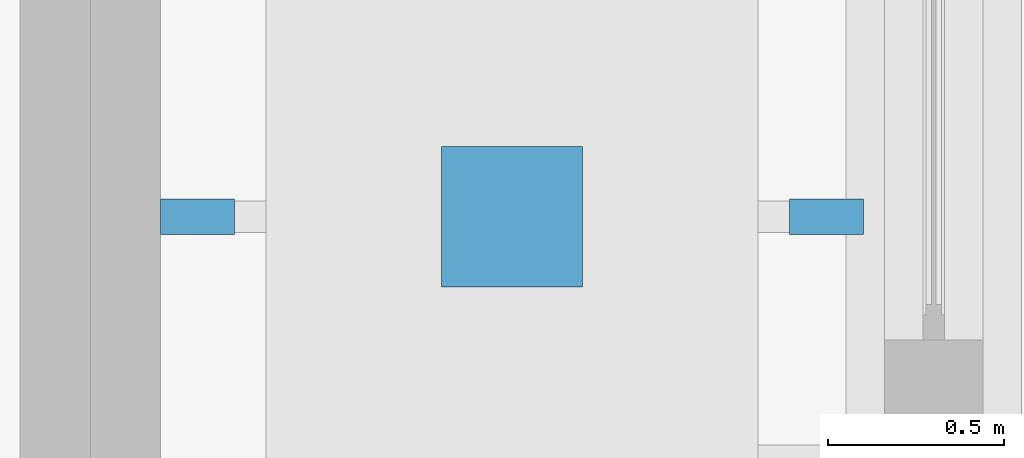
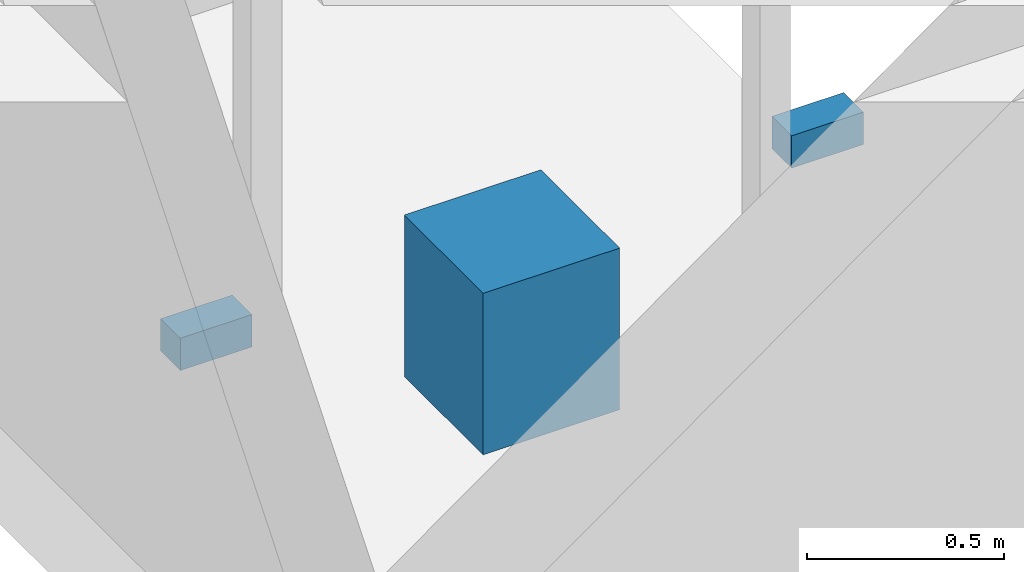
# One storey, part 170 of 250: 3 discrete accessories.
"""IFC4 building model written with IfcOpenShell, lengths in metres."""

import ifcopenshell
import ifcopenshell.guid

model = None  # the IFC model being written
_history = None  # IfcOwnerHistory: only IFC2X3 demands one
_inside = {}  # id of a spatial element -> (the spatial element, [elements in it])
_under = {}  # id of a project, library or spatial element -> (it, [spatial elements below it])
_declared = {}  # id of a project -> (the project, [libraries it declares])
_typed = {}  # id of a type object -> (the type object, [elements of that type])
_made_of = {}  # id of a material, layer set ... -> (it, [elements and type objects made of it])


def new_model(schema):
    """Start an empty IFC model of exactly this schema.

    Asked for "IFC4X3", IfcOpenShell would pick the latest addendum, in which some entities
    have other attributes; the version numbers below select the first issue.
    IFC2X3 requires an IfcOwnerHistory on every rooted entity: one is made here for all.
    """
    global model, _history
    if schema == "IFC4X3":
        model = ifcopenshell.file(schema_version=(4, 3, 0, 0))
    else:
        model = ifcopenshell.file(schema=schema)
    _inside.clear()
    _under.clear()
    _declared.clear()
    _typed.clear()
    _made_of.clear()
    _history = None
    if model.schema == "IFC2X3":
        org = make("IfcOrganization", Name="unknown")
        user = make(
            "IfcPersonAndOrganization",
            ThePerson=make("IfcPerson", FamilyName="unknown"),
            TheOrganization=org,
        )
        app = make(
            "IfcApplication",
            ApplicationDeveloper=org,
            Version="unknown",
            ApplicationFullName="unknown",
            ApplicationIdentifier="unknown",
        )
        _history = make(
            "IfcOwnerHistory",
            OwningUser=user,
            OwningApplication=app,
            ChangeAction="ADDED",
            CreationDate=0,
        )
    return model


def make(cls, **values):
    """One entity of the class cls with the attributes given. An attribute that is None is left unset."""
    return model.create_entity(
        cls, **{name: value for name, value in values.items() if value is not None}
    )


def rooted(cls, **values):
    """An entity with a GlobalId (a new one), such as an element, a storey or a relation."""
    return make(cls, GlobalId=ifcopenshell.guid.new(), OwnerHistory=_history, **values)


def si_unit(unit_type, name, prefix=None):
    """IfcSIUnit, for example si_unit("LENGTHUNIT", "METRE", prefix="MILLI")."""
    return make("IfcSIUnit", UnitType=unit_type, Prefix=prefix, Name=name)


def assignment(units):
    """IfcUnitAssignment: the units of a project."""
    return None if units is None else make("IfcUnitAssignment", Units=units)


def point(xyz):
    """IfcCartesianPoint."""
    return None if xyz is None else make("IfcCartesianPoint", Coordinates=xyz)


def direction(xyz):
    """IfcDirection."""
    return None if xyz is None else make("IfcDirection", DirectionRatios=xyz)


def frame(location, z_axis=None, x_axis=None):
    """IfcAxis2Placement3D, a coordinate frame: its origin and axes. An axis left out is left unset."""
    return make(
        "IfcAxis2Placement3D",
        Location=point(location),
        Axis=direction(z_axis),
        RefDirection=direction(x_axis),
    )


def frame_2d(location, x_axis=None):
    """IfcAxis2Placement2D, a coordinate frame in the plane: its origin and x axis."""
    return make(
        "IfcAxis2Placement2D", Location=point(location), RefDirection=direction(x_axis)
    )


def origin():
    """The frame at (0, 0, 0) with its axes left unset."""
    return frame((0.0, 0.0, 0.0))


def origin_2d():
    """The frame at (0, 0) in the plane with its x axis left unset."""
    return frame_2d((0.0, 0.0))


def place(relative_to, where):
    """IfcLocalPlacement: puts the frame where relative to a parent placement (None: the world)."""
    return make(
        "IfcLocalPlacement", PlacementRelTo=relative_to, RelativePlacement=where
    )


def context(
    kind, dimensions, precision=None, world=None, true_north=None, identifier=None
):
    """IfcGeometricRepresentationContext, for example the 3D "Model" context."""
    return make(
        "IfcGeometricRepresentationContext",
        ContextIdentifier=identifier,
        ContextType=kind,
        CoordinateSpaceDimension=dimensions,
        Precision=precision,
        WorldCoordinateSystem=world,
        TrueNorth=true_north,
    )


def subcontext(parent, identifier, kind, view, scale=None):
    """IfcGeometricRepresentationSubContext, for example "Body" below "Model"."""
    return make(
        "IfcGeometricRepresentationSubContext",
        ContextIdentifier=identifier,
        ContextType=kind,
        ParentContext=parent,
        TargetScale=scale,
        TargetView=view,
    )


def project(units=None, contexts=None):
    """IfcProject with its units and contexts."""
    return rooted(
        "IfcProject",
        Name="project",
        RepresentationContexts=contexts,
        UnitsInContext=assignment(units),
    )


def spatial(cls, under=None, at=None, **own):
    """A site, building, storey or space (cls), placed at a placement, below another one or the project."""
    s = rooted(cls, ObjectPlacement=at, **own)
    if under is not None:
        _under.setdefault(under.id(), (under, []))[1].append(s)
    return s


def profile(cls, at=None, kind="AREA", **sizes):
    """A parametric profile (cls). Its sizes go by their IFC names, for example OverallWidth=200.0."""
    return make(cls, ProfileType=kind, Position=at, **sizes)


def rectangle(**sizes):
    """IfcRectangleProfileDef."""
    return profile("IfcRectangleProfileDef", **sizes)


def extrude(swept, where, along, depth):
    """IfcExtrudedAreaSolid: the profile swept, set in the frame where, extruded along a direction by depth."""
    return make(
        "IfcExtrudedAreaSolid",
        SweptArea=swept,
        Position=where,
        ExtrudedDirection=direction(along),
        Depth=depth,
    )


def shape(context_of_items, identifier, shape_type, items):
    """IfcShapeRepresentation: the items that make up one representation, for example the "Body"."""
    return make(
        "IfcShapeRepresentation",
        ContextOfItems=context_of_items,
        RepresentationIdentifier=identifier,
        RepresentationType=shape_type,
        Items=items,
    )


def material(Name=None, Category=None):
    """IfcMaterial."""
    return make("IfcMaterial", Name=Name, Category=Category)


def made_of(thing, what):
    """Note that an element or type object is made of a material, layer set ...; save() writes the relation."""
    if what is not None:
        _made_of.setdefault(what.id(), (what, []))[1].append(thing)
    return thing


def type_object(cls, material=None, **own):
    """A type object (cls), such as IfcWallType, which elements share."""
    return made_of(rooted(cls, **own), material)


def element(
    cls,
    number,
    at=None,
    inside=None,
    cuts=None,
    type_object=None,
    material=None,
    context=None,
    identifier="Body",
    shape_type=None,
    held_by="IfcProductDefinitionShape",
    body=None,
    shapes=None,
    **own,
):
    """One element of the class cls, such as IfcWall. Its Tag is "e" and its number.

    at: its placement. inside: the storey or other place that contains it. cuts: it is an
    opening in that element (IfcRelVoidsElement). A single representation is given by context,
    identifier, shape_type and body (its items); several are given by shapes. held_by: the class
    of the entity that holds the representations. save() writes the other relations.
    """
    e = rooted(cls, Tag="e%d" % number, ObjectPlacement=at, **own)
    if body is not None:
        shapes = [shape(context, identifier, shape_type, body)]
    if shapes is not None:
        e.Representation = make(held_by, Representations=shapes)
    if inside is not None:
        _inside.setdefault(inside.id(), (inside, []))[1].append(e)
    if cuts is not None:
        rooted(
            "IfcRelVoidsElement", RelatingBuildingElement=cuts, RelatedOpeningElement=e
        )
    if type_object is not None:
        _typed.setdefault(type_object.id(), (type_object, []))[1].append(e)
    return made_of(e, material)


def aggregate(whole, parts):
    """IfcRelAggregates: a whole, such as a stair, and the parts it consists of."""
    return rooted("IfcRelAggregates", RelatingObject=whole, RelatedObjects=parts)


def save(model, path):
    """Write the relations noted so far, then the file.

    IfcRelAggregates (storeys below a building ...), IfcRelContainedInSpatialStructure (elements
    in a storey), IfcRelDefinesByType, IfcRelAssociatesMaterial and IfcRelDeclares: one each for
    every whole, place, type object, material and project.
    """
    for whole, parts in _under.values():
        aggregate(whole, parts)
    for where, things in _inside.values():
        rooted(
            "IfcRelContainedInSpatialStructure",
            RelatedElements=things,
            RelatingStructure=where,
        )
    for kind, things in _typed.values():
        rooted("IfcRelDefinesByType", RelatedObjects=things, RelatingType=kind)
    for what, things in _made_of.values():
        rooted("IfcRelAssociatesMaterial", RelatedObjects=things, RelatingMaterial=what)
    for by, libraries in _declared.values():
        rooted("IfcRelDeclares", RelatingContext=by, RelatedDefinitions=libraries)
    model.write(path)


model = new_model("IFC4")

# Units and contexts
model_context = context("Model", 3, precision=1e-05, world=origin(), true_north=direction((0.0, 1.0)))
body_context = subcontext(model_context, "Body", "Model", "MODEL_VIEW")
ifc_project = project(units=[si_unit("LENGTHUNIT", "METRE"), si_unit("AREAUNIT", "SQUARE_METRE"), si_unit("VOLUMEUNIT", "CUBIC_METRE"), si_unit("PLANEANGLEUNIT", "RADIAN"), si_unit("MASSUNIT", "GRAM", prefix="KILO")], contexts=[model_context])

# Site, building, storey
site_placement = place(None, origin())
site = spatial("IfcSite", under=ifc_project, at=site_placement, CompositionType="ELEMENT")
building_placement = place(site_placement, origin())
building = spatial("IfcBuilding", under=site, at=building_placement, Name="Baradari Gate Terminus", CompositionType="ELEMENT")
storey_placement = place(building_placement, origin())
storey = spatial("IfcBuildingStorey", under=building, at=storey_placement, Name="L00", CompositionType="ELEMENT", Elevation=0.0)

# Discrete accessories
ifc_material_1 = material(Name="Steel S355", Category="steel")
discrete_accessory_type_1 = type_object("IfcDiscreteAccessoryType", Name="Lift buffer BF-1 400x400x500", PredefinedType="SHOE", material=ifc_material_1)
discrete_accessory_placement = place(storey_placement, frame((241.800048828125, 100.25, -1.60009765625), z_axis=(0.0, 0.0, 1.0), x_axis=(1.0, 0.0, 0.0)))
element("IfcDiscreteAccessory", 1, at=discrete_accessory_placement, inside=storey, type_object=discrete_accessory_type_1, Name="Lift buffer LH4", PredefinedType="SHOE", context=body_context, shape_type="SweptSolid", body=[
    extrude(rectangle(XDim=0.39990234375, YDim=0.39990234375, at=origin_2d()), origin(), (0.0, 0.0, 1.0), 0.5),
])
ifc_material_2 = material(Name="Steel S355", Category="steel")
discrete_accessory_type_2 = type_object("IfcDiscreteAccessoryType", Name="Lift rail bracket RB-L1 100x100", PredefinedType="BRACKET", material=ifc_material_2)
for number, where, z_axis, x_axis, name in (
    (2, (240.905029296875, 100.25, -1.150146484375), (0.0, 0.0, 1.0), (1.0, 0.0, 0.0), "Lift rail bracket LH4 1A"),
    (3, (242.695068359375, 100.25, -1.150146484375), (0.0, 0.0, 1.0), (1.0, 0.0, 0.0), "Lift rail bracket LH4 2A"),
):
    element("IfcDiscreteAccessory", number, at=place(storey_placement, frame(where, z_axis=z_axis, x_axis=x_axis)), inside=storey, type_object=discrete_accessory_type_2, Name=name, PredefinedType="BRACKET", context=body_context, shape_type="SweptSolid", body=[
        extrude(rectangle(XDim=0.2099609375, YDim=0.10009765625, at=origin_2d()), origin(), (0.0, 0.0, 1.0), 0.10009765625),
    ])

save(model, "model.ifc")
